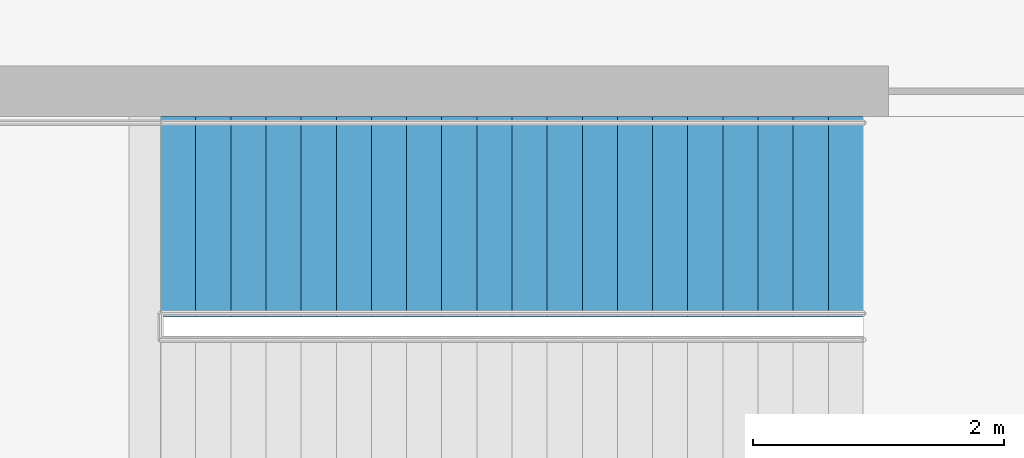
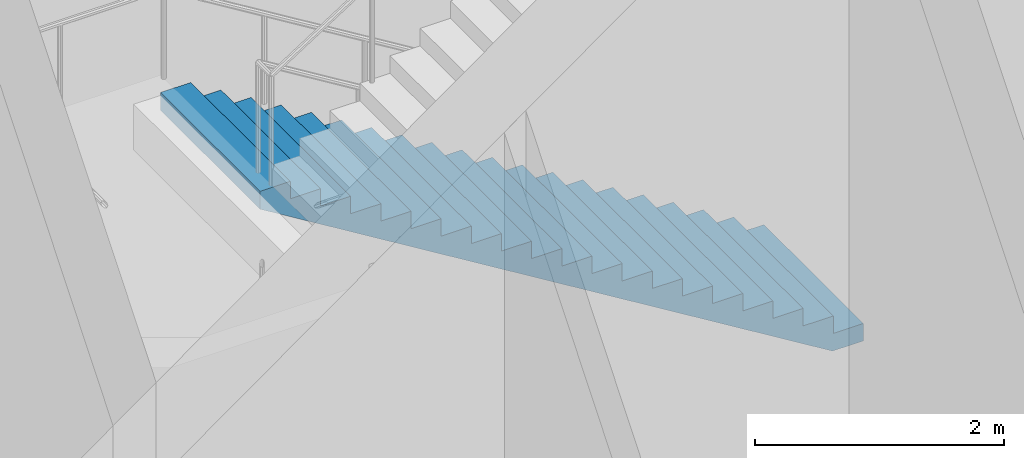
# One storey, part 18 of 32: 1 stair flight, 1 element without a shape of its own.
"""IFC4 building model written with IfcOpenShell, lengths in metres."""

from ifc_helpers import new_model, si_unit, direction, frame, origin, place, context, subcontext, project, spatial, polyline, outline, extrude, material, type_object, element, aggregate, save


model = new_model("IFC4")

# Units and contexts
model_context = context("Model", 3, precision=1e-05, world=origin(), true_north=direction((0.0, 1.0)))
body_context = subcontext(model_context, "Body", "Model", "MODEL_VIEW")
ifc_project = project(units=[si_unit("LENGTHUNIT", "METRE"), si_unit("AREAUNIT", "SQUARE_METRE"), si_unit("VOLUMEUNIT", "CUBIC_METRE"), si_unit("PLANEANGLEUNIT", "RADIAN"), si_unit("MASSUNIT", "GRAM", prefix="KILO")], contexts=[model_context])

# Site, building, storey
site_placement = place(None, origin())
site = spatial("IfcSite", under=ifc_project, at=site_placement, CompositionType="ELEMENT")
building_placement = place(site_placement, origin())
building = spatial("IfcBuilding", under=site, at=building_placement, Name="Cobogo Forest Laboratory Tower", CompositionType="ELEMENT")
storey_placement = place(building_placement, origin())
storey = spatial("IfcBuildingStorey", under=building, at=storey_placement, Name="L00", CompositionType="ELEMENT", Elevation=0.0)

# Stair, stair flight
ifc_material = material(Name="Precast concrete HA-40 (C40/50)", Category="concrete")
stair_type = type_object("IfcStairType", Name="ST42 exit stair 42 risers", PredefinedType="HALF_TURN_STAIR", material=ifc_material)
stair_placement = place(storey_placement, origin())
stair = element("IfcStair", 1, at=stair_placement, inside=storey, type_object=stair_type, Name="Stair 2 L00 to L01", PredefinedType="HALF_TURN_STAIR")
stair_flight_type = type_object("IfcStairFlightType", Name="ST stair flight 280 going", PredefinedType="STRAIGHT", material=ifc_material)
stair_flight_placement = place(storey_placement, frame((37.47509765625, 25.699951171875, 0.0), z_axis=(0.0, 0.0, 1.0), x_axis=(-1.0, 0.0, 0.0)))
stair_flight = element("IfcStairFlight", 2, at=stair_flight_placement, type_object=stair_flight_type, Name="ST2 flight 1", NumberOfRisers=21, NumberOfTreads=20, PredefinedType="STRAIGHT", RiserHeight=0.171428571, TreadLength=0.28, context=body_context, shape_type="SweptSolid", body=[
    extrude(outline(polyline([(0.0, 0.0), (0.0, 0.17138671875), (0.280029296875, 0.17138671875), (0.280029296875, 0.3427734375), (0.56005859375, 0.3427734375), (0.56005859375, 0.514404296875), (0.840087890625, 0.514404296875), (0.840087890625, 0.685791015625), (1.1201171875, 0.685791015625), (1.1201171875, 0.857177734375), (1.39990234375, 0.857177734375), (1.39990234375, 1.028564453125), (1.679931640625, 1.028564453125), (1.679931640625, 1.199951171875), (1.9599609375, 1.199951171875), (1.9599609375, 1.371337890625), (2.239990234375, 1.371337890625), (2.239990234375, 1.54296875), (2.52001953125, 1.54296875), (2.52001953125, 1.71435546875), (2.800048828125, 1.71435546875), (2.800048828125, 1.8857421875), (3.080078125, 1.8857421875), (3.080078125, 2.05712890625), (3.360107421875, 2.05712890625), (3.360107421875, 2.228515625), (3.639892578125, 2.228515625), (3.639892578125, 2.39990234375), (3.919921875, 2.39990234375), (3.919921875, 2.571533203125), (4.199951171875, 2.571533203125), (4.199951171875, 2.742919921875), (4.47998046875, 2.742919921875), (4.47998046875, 2.914306640625), (4.760009765625, 2.914306640625), (4.760009765625, 3.085693359375), (5.0400390625, 3.085693359375), (5.0400390625, 3.257080078125), (5.320068359375, 3.257080078125), (5.320068359375, 3.428466796875), (5.60009765625, 3.428466796875), (5.60009765625, 3.60009765625), (5.60009765625, 3.252685546875), (0.287109375, 0.0), (0.0, 0.0)])), frame((0.0, 0.800048828125, 0.0), z_axis=(0.0, -1.0, 0.0), x_axis=(1.0, 0.0, 0.0)), (0.0, 0.0, 1.0), 1.60009765625),
])
aggregate(stair, [stair_flight])

save(model, "model.ifc")
